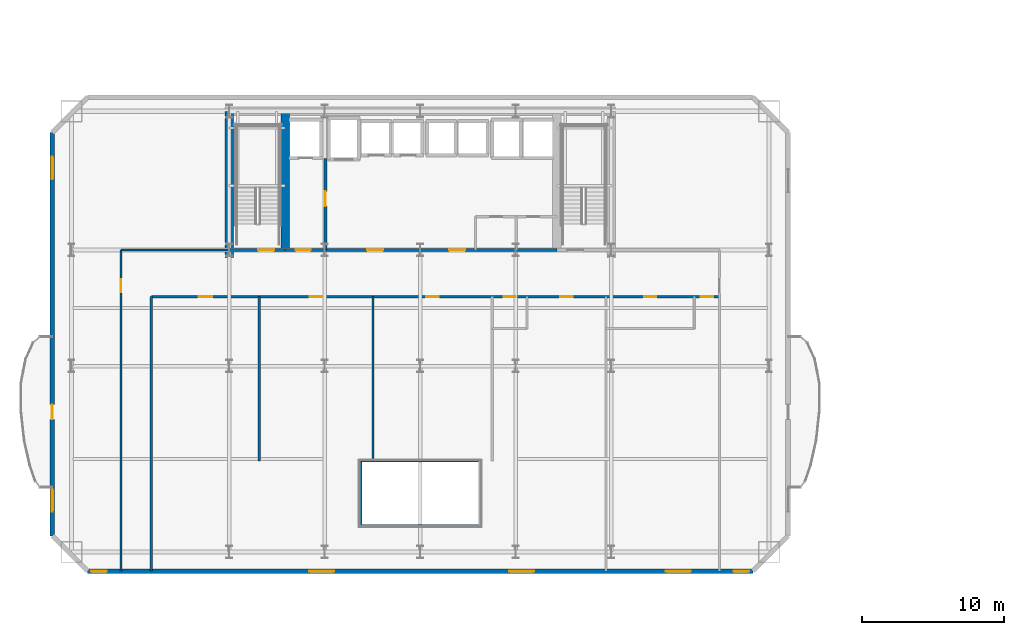
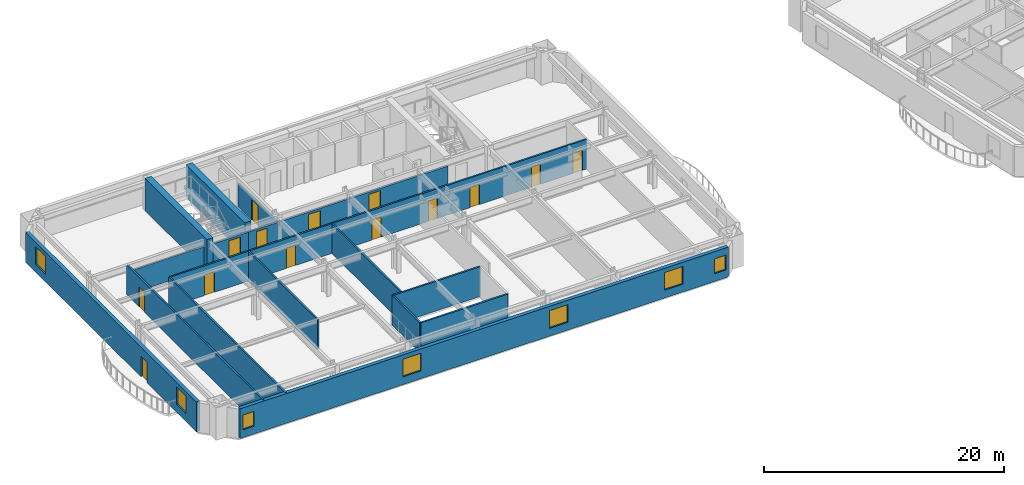
# One storey, part 5 of 16: 17 walls, 14 doors, 7 windows, 21 openings.
"""IFC4 building model written with IfcOpenShell, lengths in metres."""

from ifc_helpers import new_model, si_unit, direction, frame, frame_2d, origin, place, context, subcontext, project, spatial, rectangle, extrude, material, layer, layer_set, type_object, element, fill, save


model = new_model("IFC4")

# Units and contexts
model_context = context("Model", 3, precision=1e-05, world=origin(), true_north=direction((0.0, 1.0)))
body_context = subcontext(model_context, "Body", "Model", "MODEL_VIEW")
ifc_project = project(units=[si_unit("LENGTHUNIT", "METRE"), si_unit("AREAUNIT", "SQUARE_METRE"), si_unit("VOLUMEUNIT", "CUBIC_METRE"), si_unit("PLANEANGLEUNIT", "RADIAN"), si_unit("MASSUNIT", "GRAM", prefix="KILO")], contexts=[model_context])

# Site, building, storey
site_placement = place(None, origin())
site = spatial("IfcSite", under=ifc_project, at=site_placement, CompositionType="ELEMENT")
building_placement = place(site_placement, origin())
building = spatial("IfcBuilding", under=site, at=building_placement, Name="Haevon Station Towers", CompositionType="ELEMENT")
storey_placement = place(building_placement, frame((0.0, 0.0, 53.699951171875)))
storey = spatial("IfcBuildingStorey", under=building, at=storey_placement, Name="L13", CompositionType="ELEMENT", Elevation=53.699951171875)

# Wall
ifc_material_1 = material(Name="Gypsum board on steel stud", Category="steel")
ifc_layer_1 = layer(ifc_material_1, 0.179931640625)
ifc_layer_set_1 = layer_set([ifc_layer_1], Name="Gypsum board on steel stud")
wall_type_1 = type_object("IfcWallType", Name="WL-ACU180", PredefinedType="PARTITIONING", material=ifc_layer_set_1)
wall_1_placement = place(storey_placement, frame((33.300048828125, 18.699951171875, 0.0), z_axis=(0.0, 0.0, 1.0), x_axis=(1.0, 0.0, 0.0)))
element("IfcWall", 1, at=wall_1_placement, inside=storey, type_object=wall_type_1, Name="WL-T1PT-L13-06", PredefinedType="PARTITIONING", context=body_context, shape_type="SweptSolid", body=[
    extrude(rectangle(XDim=8.39990234375, YDim=0.179931640625, at=frame_2d((4.199951171875, 0.0))), origin(), (0.0, 0.0, 1.0), 3.030029296875),
])

# Wall, opening, door
ifc_layer_2 = layer(ifc_material_1, 0.199951171875)
ifc_layer_set_2 = layer_set([ifc_layer_2], Name="Gypsum board on steel stud")
wall_type_2 = type_object("IfcWallType", Name="WL-COR200", PredefinedType="PARTITIONING", material=ifc_layer_set_2)
wall_2_placement = place(storey_placement, frame((24.0, 38.199951171875, 0.0), z_axis=(0.0, 0.0, 1.0), x_axis=(1.0, 0.0, 0.0)))
wall_2 = element("IfcWall", 2, at=wall_2_placement, inside=storey, type_object=wall_type_2, Name="WL-ST-ST1-L13", PredefinedType="PARTITIONING", context=body_context, shape_type="SweptSolid", body=[
    extrude(rectangle(XDim=3.949951171875, YDim=0.199951171875, at=frame_2d((1.97509765625, 0.0))), origin(), (0.0, 0.0, 1.0), 2.330078125),
])
opening_1_placement = place(wall_2_placement, frame((2.050048828125, 0.0, 0.0)))
opening_1 = element("IfcOpeningElement", 3, at=opening_1_placement, cuts=wall_2, Name="Opening DR-ST-ST1-L13", PredefinedType="OPENING", context=body_context, shape_type="SweptSolid", body=[
    extrude(rectangle(XDim=1.1201171875, YDim=2.10009765625, at=frame_2d((0.56005859375, 1.050048828125))), frame((0.0, 0.10986328125, 0.0), z_axis=(0.0, -1.0, 0.0), x_axis=(1.0, 0.0, 0.0)), (0.0, 0.0, 1.0), 0.219970703125),
])
ifc_material_2 = material(Name="Engineered oak timber", Category="wood")
door_type_1 = type_object("IfcDoorType", Name="DR-ST-1120", OperationType="NOTDEFINED", PredefinedType="DOOR", material=ifc_material_2)
door_1_placement = place(opening_1_placement, origin())
door_1 = element("IfcDoor", 4, at=door_1_placement, inside=storey, type_object=door_type_1, Name="L13 Escape Stair ST1 Fire Door", OperationType="SINGLE_SWING_RIGHT", OverallHeight=2.10009765625, OverallWidth=1.1201171875, PredefinedType="DOOR", context=body_context, shape_type="SweptSolid", body=[
    extrude(rectangle(XDim=1.1201171875, YDim=2.10009765625, at=frame_2d((0.56005859375, 1.050048828125))), frame((0.0, 0.02490234375, 0.0), z_axis=(0.0, -1.0, 0.0), x_axis=(1.0, 0.0, 0.0)), (0.0, 0.0, 1.0), 0.050048828125),
])
fill(opening_1, door_1)

wall_3_placement = place(storey_placement, frame((30.800048828125, 38.199951171875, 0.0), z_axis=(0.0, 0.0, 1.0), x_axis=(0.0, 1.0, 0.0)))
wall_3 = element("IfcWall", 5, at=wall_3_placement, inside=storey, type_object=wall_type_2, Name="WL-T1FFL-L13-E", PredefinedType="PARTITIONING", context=body_context, shape_type="SweptSolid", body=[
    extrude(rectangle(XDim=6.449951171875, YDim=0.199951171875, at=frame_2d((3.22509765625, 0.0))), origin(), (0.0, 0.0, 1.0), 2.330078125),
])
opening_2_placement = place(wall_3_placement, frame((3.10009765625, 0.0, 0.0)))
opening_2 = element("IfcOpeningElement", 6, at=opening_2_placement, cuts=wall_3, Name="Opening DR-T1FFL-L13-E", PredefinedType="OPENING", context=body_context, shape_type="SweptSolid", body=[
    extrude(rectangle(XDim=1.050048828125, YDim=2.10009765625, at=frame_2d((0.52490234375, 1.050048828125))), frame((0.0, 0.10986328125, 0.0), z_axis=(0.0, -1.0, 0.0), x_axis=(1.0, 0.0, 0.0)), (0.0, 0.0, 1.0), 0.219970703125),
])
door_type_2 = type_object("IfcDoorType", Name="DR-FD60-1050", OperationType="NOTDEFINED", PredefinedType="DOOR", material=ifc_material_2)
door_2_placement = place(opening_2_placement, origin())
door_2 = element("IfcDoor", 7, at=door_2_placement, inside=storey, type_object=door_type_2, Name="L13 Tower 1 Firefighting Lift Lobby Door E", OperationType="SINGLE_SWING_RIGHT", OverallHeight=2.10009765625, OverallWidth=1.050048828125, PredefinedType="DOOR", context=body_context, shape_type="SweptSolid", body=[
    extrude(rectangle(XDim=1.050048828125, YDim=2.10009765625, at=frame_2d((0.52490234375, 1.050048828125))), frame((0.0, 0.02490234375, 0.0), z_axis=(0.0, -1.0, 0.0), x_axis=(1.0, 0.0, 0.0)), (0.0, 0.0, 1.0), 0.050048828125),
])
fill(opening_2, door_2)

wall_4_placement = place(storey_placement, frame((27.949951171875, 38.199951171875, 0.0), z_axis=(0.0, 0.0, 1.0), x_axis=(1.0, 0.0, 0.0)))
wall_4 = element("IfcWall", 8, at=wall_4_placement, inside=storey, type_object=wall_type_2, Name="WL-T1FFL-L13-S", PredefinedType="PARTITIONING", context=body_context, shape_type="SweptSolid", body=[
    extrude(rectangle(XDim=2.85009765625, YDim=0.199951171875, at=frame_2d((1.425048828125, 0.0))), origin(), (0.0, 0.0, 1.0), 2.330078125),
])
opening_3_placement = place(wall_4_placement, frame((0.75, 0.0, 0.0)))
opening_3 = element("IfcOpeningElement", 9, at=opening_3_placement, cuts=wall_4, Name="Opening DR-T1FFL-L13-S", PredefinedType="OPENING", context=body_context, shape_type="SweptSolid", body=[
    extrude(rectangle(XDim=1.050048828125, YDim=2.10009765625, at=frame_2d((0.52490234375, 1.050048828125))), frame((0.0, 0.10986328125, 0.0), z_axis=(0.0, -1.0, 0.0), x_axis=(1.0, 0.0, 0.0)), (0.0, 0.0, 1.0), 0.219970703125),
])
door_3_placement = place(opening_3_placement, origin())
door_3 = element("IfcDoor", 10, at=door_3_placement, inside=storey, type_object=door_type_2, Name="L13 Tower 1 Firefighting Lift Lobby Door S", OperationType="SINGLE_SWING_LEFT", OverallHeight=2.10009765625, OverallWidth=1.050048828125, PredefinedType="DOOR", context=body_context, shape_type="SweptSolid", body=[
    extrude(rectangle(XDim=1.050048828125, YDim=2.10009765625, at=frame_2d((0.52490234375, 1.050048828125))), frame((0.0, 0.02490234375, 0.0), z_axis=(0.0, -1.0, 0.0), x_axis=(1.0, 0.0, 0.0)), (0.0, 0.0, 1.0), 0.050048828125),
])
fill(opening_3, door_3)

# Wall, openings, doors
wall_5_placement = place(storey_placement, frame((30.800048828125, 38.199951171875, 0.0), z_axis=(0.0, 0.0, 1.0), x_axis=(1.0, 0.0, 0.0)))
wall_5 = element("IfcWall", 11, at=wall_5_placement, inside=storey, type_object=wall_type_2, Name="WL-T1CLB-L13", PredefinedType="PARTITIONING", context=body_context, shape_type="SweptSolid", body=[
    extrude(rectangle(XDim=16.349853515625, YDim=0.199951171875, at=frame_2d((8.1748046875, 0.0))), origin(), (0.0, 0.0, 1.0), 2.330078125),
])
opening_4_placement = place(wall_5_placement, frame((2.949951171875, 0.0, 0.0)))
opening_4 = element("IfcOpeningElement", 12, at=opening_4_placement, cuts=wall_5, Name="Opening DR-T1CLB-L13-1", PredefinedType="OPENING", context=body_context, shape_type="SweptSolid", body=[
    extrude(rectangle(XDim=1.1201171875, YDim=2.10009765625, at=frame_2d((0.56005859375, 1.050048828125))), frame((0.0, 0.10986328125, 0.0), z_axis=(0.0, -1.0, 0.0), x_axis=(1.0, 0.0, 0.0)), (0.0, 0.0, 1.0), 0.219970703125),
])
opening_5_placement = place(wall_5_placement, frame((8.75, 0.0, 0.0)))
opening_5 = element("IfcOpeningElement", 13, at=opening_5_placement, cuts=wall_5, Name="Opening DR-T1CLB-L13-2", PredefinedType="OPENING", context=body_context, shape_type="SweptSolid", body=[
    extrude(rectangle(XDim=1.1201171875, YDim=2.10009765625, at=frame_2d((0.56005859375, 1.050048828125))), frame((0.0, 0.10986328125, 0.0), z_axis=(0.0, -1.0, 0.0), x_axis=(1.0, 0.0, 0.0)), (0.0, 0.0, 1.0), 0.219970703125),
])
door_4_placement = place(opening_4_placement, origin())
door_4 = element("IfcDoor", 14, at=door_4_placement, inside=storey, type_object=door_type_1, Name="L13 Tower 1 Core Lift Lobby Door 1", OperationType="SINGLE_SWING_RIGHT", OverallHeight=2.10009765625, OverallWidth=1.1201171875, PredefinedType="DOOR", context=body_context, shape_type="SweptSolid", body=[
    extrude(rectangle(XDim=1.1201171875, YDim=2.10009765625, at=frame_2d((0.56005859375, 1.050048828125))), frame((0.0, 0.02490234375, 0.0), z_axis=(0.0, -1.0, 0.0), x_axis=(1.0, 0.0, 0.0)), (0.0, 0.0, 1.0), 0.050048828125),
])
fill(opening_4, door_4)
door_5_placement = place(opening_5_placement, origin())
door_5 = element("IfcDoor", 15, at=door_5_placement, inside=storey, type_object=door_type_1, Name="L13 Tower 1 Core Lift Lobby Door 2", OperationType="SINGLE_SWING_LEFT", OverallHeight=2.10009765625, OverallWidth=1.1201171875, PredefinedType="DOOR", context=body_context, shape_type="SweptSolid", body=[
    extrude(rectangle(XDim=1.1201171875, YDim=2.10009765625, at=frame_2d((0.56005859375, 1.050048828125))), frame((0.0, 0.02490234375, 0.0), z_axis=(0.0, -1.0, 0.0), x_axis=(1.0, 0.0, 0.0)), (0.0, 0.0, 1.0), 0.050048828125),
])
fill(opening_5, door_5)

# Walls
ifc_material_3 = material(Name="Concrete C60/75", Category="concrete")
ifc_layer_3 = layer(ifc_material_3, 0.60009765625)
ifc_layer_set_3 = layer_set([ifc_layer_3], Name="Concrete C60/75")
wall_type_3 = type_object("IfcWallType", Name="WL-CR600", PredefinedType="SHEAR", material=ifc_layer_set_3)
wall_6_placement = place(storey_placement, frame((24.0, 37.679931640625, 0.0), z_axis=(0.0, 0.0, 1.0), x_axis=(0.0, 1.0, 0.0)))
element("IfcWall", 16, at=wall_6_placement, inside=storey, type_object=wall_type_3, Name="WL-T1CR-L13-W", PredefinedType="SHEAR", context=body_context, shape_type="SweptSolid", body=[
    extrude(rectangle(XDim=10.320068359375, YDim=0.60009765625, at=frame_2d((5.16015625, 0.0))), origin(), (0.0, 0.0, 1.0), 3.300048828125),
])
wall_7_placement = place(storey_placement, frame((27.949951171875, 38.199951171875, 0.0), z_axis=(0.0, 0.0, 1.0), x_axis=(0.0, 1.0, 0.0)))
element("IfcWall", 17, at=wall_7_placement, inside=storey, type_object=wall_type_3, Name="WL-T1CR-L13-M1", PredefinedType="SHEAR", context=body_context, shape_type="SweptSolid", body=[
    extrude(rectangle(XDim=9.800048828125, YDim=0.60009765625, at=frame_2d((4.89990234375, 0.0))), origin(), (0.0, 0.0, 1.0), 3.300048828125),
])

# Wall, openings, windows
ifc_material_4 = material(Name="Precast concrete C45/55", Category="concrete")
ifc_layer_4 = layer(ifc_material_4, 0.340087890625)
ifc_layer_set_4 = layer_set([ifc_layer_4], Name="Precast concrete C45/55")
wall_type_4 = type_object("IfcWallType", Name="WL-EXT-PIER340", PredefinedType="SOLIDWALL", material=ifc_layer_set_4)
wall_8_placement = place(storey_placement, frame((61.0, 15.5, 0.0), z_axis=(0.0, 0.0, 1.0), x_axis=(-1.0, 0.0, 0.0)))
wall_8 = element("IfcWall", 18, at=wall_8_placement, inside=storey, type_object=wall_type_4, Name="WL-T1-L13-S", PredefinedType="SOLIDWALL", context=body_context, shape_type="SweptSolid", body=[
    extrude(rectangle(XDim=47.0, YDim=0.340087890625, at=frame_2d((23.5, 0.0))), origin(), (0.0, 0.0, 1.0), 3.030029296875),
])
opening_6_placement = place(wall_8_placement, frame((45.64990234375, 0.0, 0.800048828125)))
opening_6 = element("IfcOpeningElement", 19, at=opening_6_placement, cuts=wall_8, Name="Opening WN-COR110", PredefinedType="OPENING", context=body_context, shape_type="SweptSolid", body=[
    extrude(rectangle(XDim=1.10009765625, YDim=1.5, at=frame_2d((0.550048828125, 0.75))), frame((0.0, 0.179931640625, 0.0), z_axis=(0.0, -1.0, 0.0), x_axis=(1.0, 0.0, 0.0)), (0.0, 0.0, 1.0), 0.360107421875),
])
opening_7_placement = place(wall_8_placement, frame((0.25, 0.0, 0.800048828125)))
opening_7 = element("IfcOpeningElement", 20, at=opening_7_placement, cuts=wall_8, Name="Opening WN-COR110", PredefinedType="OPENING", context=body_context, shape_type="SweptSolid", body=[
    extrude(rectangle(XDim=1.10009765625, YDim=1.5, at=frame_2d((0.550048828125, 0.75))), frame((0.0, 0.179931640625, 0.0), z_axis=(0.0, -1.0, 0.0), x_axis=(1.0, 0.0, 0.0)), (0.0, 0.0, 1.0), 0.360107421875),
])
opening_8_placement = place(wall_8_placement, frame((29.580078125, 0.0, 0.800048828125)))
opening_8 = element("IfcOpeningElement", 21, at=opening_8_placement, cuts=wall_8, Name="Opening WN-P175", PredefinedType="OPENING", context=body_context, shape_type="SweptSolid", body=[
    extrude(rectangle(XDim=1.75, YDim=1.800048828125, at=frame_2d((0.875, 0.89990234375))), frame((0.0, 0.179931640625, 0.0), z_axis=(0.0, -1.0, 0.0), x_axis=(1.0, 0.0, 0.0)), (0.0, 0.0, 1.0), 0.360107421875),
])
opening_9_placement = place(wall_8_placement, frame((15.451904296875, 0.0, 0.800048828125)))
opening_9 = element("IfcOpeningElement", 22, at=opening_9_placement, cuts=wall_8, Name="Opening WN-P175", PredefinedType="OPENING", context=body_context, shape_type="SweptSolid", body=[
    extrude(rectangle(XDim=1.75, YDim=1.800048828125, at=frame_2d((0.875, 0.89990234375))), frame((0.0, 0.179931640625, 0.0), z_axis=(0.0, -1.0, 0.0), x_axis=(1.0, 0.0, 0.0)), (0.0, 0.0, 1.0), 0.360107421875),
])
opening_10_placement = place(wall_8_placement, frame((4.385986328125, 0.0, 0.800048828125)))
opening_10 = element("IfcOpeningElement", 23, at=opening_10_placement, cuts=wall_8, Name="Opening WN-P175", PredefinedType="OPENING", context=body_context, shape_type="SweptSolid", body=[
    extrude(rectangle(XDim=1.75, YDim=1.800048828125, at=frame_2d((0.875, 0.89990234375))), frame((0.0, 0.179931640625, 0.0), z_axis=(0.0, -1.0, 0.0), x_axis=(1.0, 0.0, 0.0)), (0.0, 0.0, 1.0), 0.360107421875),
])
ifc_material_5 = material(Name="Low-E triple glazing in thermally broken aluminium", Category="aluminium")
window_type_1 = type_object("IfcWindowType", Name="WN-COR110", PartitioningType="SINGLE_PANEL", PredefinedType="WINDOW", material=ifc_material_5)
window_1_placement = place(opening_6_placement, origin())
window_1 = element("IfcWindow", 24, at=window_1_placement, inside=storey, type_object=window_type_1, Name="WN-T1-L13-S01", OverallHeight=1.5, OverallWidth=1.10009765625, PartitioningType="SINGLE_PANEL", PredefinedType="WINDOW", context=body_context, shape_type="SweptSolid", body=[
    extrude(rectangle(XDim=1.10009765625, YDim=1.5, at=frame_2d((0.550048828125, 0.75))), frame((0.0, 0.030029296875, 0.0), z_axis=(0.0, -1.0, 0.0), x_axis=(1.0, 0.0, 0.0)), (0.0, 0.0, 1.0), 0.06005859375),
])
fill(opening_6, window_1)
window_2_placement = place(opening_7_placement, origin())
window_2 = element("IfcWindow", 25, at=window_2_placement, inside=storey, type_object=window_type_1, Name="WN-T1-L13-S02", OverallHeight=1.5, OverallWidth=1.10009765625, PartitioningType="SINGLE_PANEL", PredefinedType="WINDOW", context=body_context, shape_type="SweptSolid", body=[
    extrude(rectangle(XDim=1.10009765625, YDim=1.5, at=frame_2d((0.550048828125, 0.75))), frame((0.0, 0.030029296875, 0.0), z_axis=(0.0, -1.0, 0.0), x_axis=(1.0, 0.0, 0.0)), (0.0, 0.0, 1.0), 0.06005859375),
])
fill(opening_7, window_2)
window_type_2 = type_object("IfcWindowType", Name="WN-P175", PartitioningType="SINGLE_PANEL", PredefinedType="WINDOW", material=ifc_material_5)
window_3_placement = place(opening_8_placement, origin())
window_3 = element("IfcWindow", 26, at=window_3_placement, inside=storey, type_object=window_type_2, Name="WN-T1-L13-S03", OverallHeight=1.800048828125, OverallWidth=1.75, PartitioningType="SINGLE_PANEL", PredefinedType="WINDOW", context=body_context, shape_type="SweptSolid", body=[
    extrude(rectangle(XDim=1.75, YDim=1.800048828125, at=frame_2d((0.875, 0.89990234375))), frame((0.0, 0.030029296875, 0.0), z_axis=(0.0, -1.0, 0.0), x_axis=(1.0, 0.0, 0.0)), (0.0, 0.0, 1.0), 0.06005859375),
])
fill(opening_8, window_3)
window_4_placement = place(opening_9_placement, origin())
window_4 = element("IfcWindow", 27, at=window_4_placement, inside=storey, type_object=window_type_2, Name="WN-T1-L13-S04", OverallHeight=1.800048828125, OverallWidth=1.75, PartitioningType="SINGLE_PANEL", PredefinedType="WINDOW", context=body_context, shape_type="SweptSolid", body=[
    extrude(rectangle(XDim=1.75, YDim=1.800048828125, at=frame_2d((0.875, 0.89990234375))), frame((0.0, 0.030029296875, 0.0), z_axis=(0.0, -1.0, 0.0), x_axis=(1.0, 0.0, 0.0)), (0.0, 0.0, 1.0), 0.06005859375),
])
fill(opening_9, window_4)
window_5_placement = place(opening_10_placement, origin())
window_5 = element("IfcWindow", 28, at=window_5_placement, inside=storey, type_object=window_type_2, Name="WN-T1-L13-S05", OverallHeight=1.800048828125, OverallWidth=1.75, PartitioningType="SINGLE_PANEL", PredefinedType="WINDOW", context=body_context, shape_type="SweptSolid", body=[
    extrude(rectangle(XDim=1.75, YDim=1.800048828125, at=frame_2d((0.875, 0.89990234375))), frame((0.0, 0.030029296875, 0.0), z_axis=(0.0, -1.0, 0.0), x_axis=(1.0, 0.0, 0.0)), (0.0, 0.0, 1.0), 0.06005859375),
])
fill(opening_10, window_5)

# Wall, openings, door, windows
wall_9_placement = place(storey_placement, frame((11.5, 18.0, 0.0), z_axis=(0.0, 0.0, 1.0), x_axis=(0.0, 1.0, 0.0)))
wall_9 = element("IfcWall", 29, at=wall_9_placement, inside=storey, type_object=wall_type_4, Name="WL-T1-L13-W", PredefinedType="SOLIDWALL", context=body_context, shape_type="SweptSolid", body=[
    extrude(rectangle(XDim=28.5, YDim=0.340087890625, at=frame_2d((14.25, 0.0))), origin(), (0.0, 0.0, 1.0), 3.030029296875),
])
opening_11_placement = place(wall_9_placement, frame((8.22509765625, 0.0, 0.0)))
opening_11 = element("IfcOpeningElement", 30, at=opening_11_placement, cuts=wall_9, Name="Opening DR-T1-SCAL-L13-W", PredefinedType="OPENING", context=body_context, shape_type="SweptSolid", body=[
    extrude(rectangle(XDim=1.050048828125, YDim=2.10009765625, at=frame_2d((0.52490234375, 1.050048828125))), frame((0.0, 0.179931640625, 0.0), z_axis=(0.0, -1.0, 0.0), x_axis=(1.0, 0.0, 0.0)), (0.0, 0.0, 1.0), 0.360107421875),
])
opening_12_placement = place(wall_9_placement, frame((1.70361328125, 0.0, 0.800048828125)))
opening_12 = element("IfcOpeningElement", 31, at=opening_12_placement, cuts=wall_9, Name="Opening WN-END160", PredefinedType="OPENING", context=body_context, shape_type="SweptSolid", body=[
    extrude(rectangle(XDim=1.60009765625, YDim=1.800048828125, at=frame_2d((0.800048828125, 0.89990234375))), frame((0.0, 0.179931640625, 0.0), z_axis=(0.0, -1.0, 0.0), x_axis=(1.0, 0.0, 0.0)), (0.0, 0.0, 1.0), 0.360107421875),
])
opening_13_placement = place(wall_9_placement, frame((25.1962890625, 0.0, 0.800048828125)))
opening_13 = element("IfcOpeningElement", 32, at=opening_13_placement, cuts=wall_9, Name="Opening WN-END160", PredefinedType="OPENING", context=body_context, shape_type="SweptSolid", body=[
    extrude(rectangle(XDim=1.60009765625, YDim=1.800048828125, at=frame_2d((0.800048828125, 0.89990234375))), frame((0.0, 0.179931640625, 0.0), z_axis=(0.0, -1.0, 0.0), x_axis=(1.0, 0.0, 0.0)), (0.0, 0.0, 1.0), 0.360107421875),
])
ifc_material_6 = material(Name="Thermally broken anodised aluminium and laminated safety glass", Category="aluminium")
door_type_3 = type_object("IfcDoorType", Name="DR-BALC-1050", OperationType="NOTDEFINED", PredefinedType="DOOR", material=ifc_material_6)
door_6_placement = place(opening_11_placement, origin())
door_6 = element("IfcDoor", 33, at=door_6_placement, inside=storey, type_object=door_type_3, Name="Tower 1 L13 West Scalloped Balcony Door", OperationType="SINGLE_SWING_RIGHT", OverallHeight=2.10009765625, OverallWidth=1.050048828125, PredefinedType="DOOR", context=body_context, shape_type="SweptSolid", body=[
    extrude(rectangle(XDim=1.050048828125, YDim=2.10009765625, at=frame_2d((0.52490234375, 1.050048828125))), frame((0.0, 0.02490234375, 0.0), z_axis=(0.0, -1.0, 0.0), x_axis=(1.0, 0.0, 0.0)), (0.0, 0.0, 1.0), 0.050048828125),
])
fill(opening_11, door_6)
window_type_3 = type_object("IfcWindowType", Name="WN-END160", PartitioningType="SINGLE_PANEL", PredefinedType="WINDOW", material=ifc_material_5)
window_6_placement = place(opening_12_placement, origin())
window_6 = element("IfcWindow", 34, at=window_6_placement, inside=storey, type_object=window_type_3, Name="WN-T1-L13-W01", OverallHeight=1.800048828125, OverallWidth=1.60009765625, PartitioningType="SINGLE_PANEL", PredefinedType="WINDOW", context=body_context, shape_type="SweptSolid", body=[
    extrude(rectangle(XDim=1.60009765625, YDim=1.800048828125, at=frame_2d((0.800048828125, 0.89990234375))), frame((0.0, 0.030029296875, 0.0), z_axis=(0.0, -1.0, 0.0), x_axis=(1.0, 0.0, 0.0)), (0.0, 0.0, 1.0), 0.06005859375),
])
fill(opening_12, window_6)
window_7_placement = place(opening_13_placement, origin())
window_7 = element("IfcWindow", 35, at=window_7_placement, inside=storey, type_object=window_type_3, Name="WN-T1-L13-W02", OverallHeight=1.800048828125, OverallWidth=1.60009765625, PartitioningType="SINGLE_PANEL", PredefinedType="WINDOW", context=body_context, shape_type="SweptSolid", body=[
    extrude(rectangle(XDim=1.60009765625, YDim=1.800048828125, at=frame_2d((0.800048828125, 0.89990234375))), frame((0.0, 0.030029296875, 0.0), z_axis=(0.0, -1.0, 0.0), x_axis=(1.0, 0.0, 0.0)), (0.0, 0.0, 1.0), 0.06005859375),
])
fill(opening_13, window_7)

# Walls
ifc_layer_5 = layer(ifc_material_1, 0.159912109375)
ifc_layer_set_5 = layer_set([ifc_layer_5], Name="Gypsum board on steel stud")
wall_type_5 = type_object("IfcWallType", Name="WL-PRT160", PredefinedType="PARTITIONING", material=ifc_layer_set_5)
wall_10_placement = place(storey_placement, frame((18.5, 15.5, 0.0), z_axis=(0.0, 0.0, 1.0), x_axis=(0.0, 1.0, 0.0)))
element("IfcWall", 36, at=wall_10_placement, inside=storey, type_object=wall_type_5, Name="WL-T1PT-L13-01", PredefinedType="PARTITIONING", context=body_context, shape_type="SweptSolid", body=[
    extrude(rectangle(XDim=19.39990234375, YDim=0.159912109375, at=frame_2d((9.699951171875, 0.0))), origin(), (0.0, 0.0, 1.0), 3.030029296875),
])
wall_11_placement = place(storey_placement, frame((16.35009765625, 38.199951171875, 0.0), z_axis=(0.0, 0.0, 1.0), x_axis=(1.0, 0.0, 0.0)))
element("IfcWall", 37, at=wall_11_placement, inside=storey, type_object=wall_type_5, Name="WL-T1PT-L13-02", PredefinedType="PARTITIONING", context=body_context, shape_type="SweptSolid", body=[
    extrude(rectangle(XDim=7.64990234375, YDim=0.159912109375, at=frame_2d((3.824951171875, 0.0))), origin(), (0.0, 0.0, 1.0), 2.330078125),
])

# Wall, opening, door
wall_12_placement = place(storey_placement, frame((16.35009765625, 15.5, 0.0), z_axis=(0.0, 0.0, 1.0), x_axis=(0.0, 1.0, 0.0)))
wall_12 = element("IfcWall", 38, at=wall_12_placement, inside=storey, type_object=wall_type_5, Name="WL-T1PT-L13-04", PredefinedType="PARTITIONING", context=body_context, shape_type="SweptSolid", body=[
    extrude(rectangle(XDim=22.699951171875, YDim=0.159912109375, at=frame_2d((11.35009765625, 0.0))), origin(), (0.0, 0.0, 1.0), 3.030029296875),
])
opening_14_placement = place(wall_12_placement, frame((19.719970703125, 0.0, 0.0)))
opening_14 = element("IfcOpeningElement", 39, at=opening_14_placement, cuts=wall_12, Name="Opening DR-WL-T1PT-L13-04-01", PredefinedType="OPENING", context=body_context, shape_type="SweptSolid", body=[
    extrude(rectangle(XDim=0.89990234375, YDim=2.050048828125, at=frame_2d((0.449951171875, 1.02490234375))), frame((0.0, 0.08984375, 0.0), z_axis=(0.0, -1.0, 0.0), x_axis=(1.0, 0.0, 0.0)), (0.0, 0.0, 1.0), 0.179931640625),
])
door_type_4 = type_object("IfcDoorType", Name="DR-INT-900", OperationType="NOTDEFINED", PredefinedType="DOOR", material=ifc_material_2)
door_7_placement = place(opening_14_placement, origin())
door_7 = element("IfcDoor", 40, at=door_7_placement, inside=storey, type_object=door_type_4, Name="L13 Tower 1 Room Door 4-1", OperationType="SINGLE_SWING_RIGHT", OverallHeight=2.050048828125, OverallWidth=0.89990234375, PredefinedType="DOOR", context=body_context, shape_type="SweptSolid", body=[
    extrude(rectangle(XDim=0.89990234375, YDim=2.050048828125, at=frame_2d((0.449951171875, 1.02490234375))), frame((0.0, 0.02490234375, 0.0), z_axis=(0.0, -1.0, 0.0), x_axis=(1.0, 0.0, 0.0)), (0.0, 0.0, 1.0), 0.050048828125),
])
fill(opening_14, door_7)

# Walls
wall_13_placement = place(storey_placement, frame((33.300048828125, 23.300048828125, 0.0), z_axis=(0.0, 0.0, 1.0), x_axis=(1.0, 0.0, 0.0)))
element("IfcWall", 41, at=wall_13_placement, inside=storey, type_object=wall_type_5, Name="WL-T1PT-L13-07", PredefinedType="PARTITIONING", context=body_context, shape_type="SweptSolid", body=[
    extrude(rectangle(XDim=8.39990234375, YDim=0.159912109375, at=frame_2d((4.199951171875, 0.0))), origin(), (0.0, 0.0, 1.0), 3.030029296875),
])
wall_14_placement = place(storey_placement, frame((33.300048828125, 18.699951171875, 0.0), z_axis=(0.0, 0.0, 1.0), x_axis=(0.0, 1.0, 0.0)))
element("IfcWall", 42, at=wall_14_placement, inside=storey, type_object=wall_type_5, Name="WL-T1PT-L13-08", PredefinedType="PARTITIONING", context=body_context, shape_type="SweptSolid", body=[
    extrude(rectangle(XDim=4.60009765625, YDim=0.159912109375, at=frame_2d((2.300048828125, 0.0))), origin(), (0.0, 0.0, 1.0), 3.030029296875),
])
for number, where, z_axis, x_axis, name in (
    (43, (26.12841796875, 23.300048828125, 0.0), (0.0, 0.0, 1.0), (0.0, 1.0, 0.0), "WL-T1PT-L13-10"),
    (44, (34.158447265625, 23.300048828125, 0.0), (0.0, 0.0, 1.0), (0.0, 1.0, 0.0), "WL-T1PT-L13-11"),
):
    element("IfcWall", number, at=place(storey_placement, frame(where, z_axis=z_axis, x_axis=x_axis)), inside=storey, type_object=wall_type_5, Name=name, PredefinedType="PARTITIONING", context=body_context, shape_type="SweptSolid", body=[
        extrude(rectangle(XDim=11.599853515625, YDim=0.159912109375, at=frame_2d((5.7998046875, 0.0))), origin(), (0.0, 0.0, 1.0), 3.030029296875),
    ])

# Wall, openings, doors
wall_15_placement = place(storey_placement, frame((18.5, 34.89990234375, 0.0), z_axis=(0.0, 0.0, 1.0), x_axis=(1.0, 0.0, 0.0)))
wall_15 = element("IfcWall", 45, at=wall_15_placement, inside=storey, type_object=wall_type_5, Name="WL-T1PT-L13-20", PredefinedType="PARTITIONING", context=body_context, shape_type="SweptSolid", body=[
    extrude(rectangle(XDim=40.14990234375, YDim=0.159912109375, at=frame_2d((20.074951171875, 0.0))), origin(), (0.0, 0.0, 1.0), 3.030029296875),
])
opening_15_placement = place(wall_15_placement, frame((3.339111328125, 0.0, 0.0)))
opening_15 = element("IfcOpeningElement", 46, at=opening_15_placement, cuts=wall_15, Name="Opening DR-WL-T1PT-L13-20-01", PredefinedType="OPENING", context=body_context, shape_type="SweptSolid", body=[
    extrude(rectangle(XDim=0.949951171875, YDim=2.10009765625, at=frame_2d((0.47509765625, 1.050048828125))), frame((0.0, 0.08984375, 0.0), z_axis=(0.0, -1.0, 0.0), x_axis=(1.0, 0.0, 0.0)), (0.0, 0.0, 1.0), 0.179931640625),
])
opening_16_placement = place(wall_15_placement, frame((11.193115234375, 0.0, 0.0)))
opening_16 = element("IfcOpeningElement", 47, at=opening_16_placement, cuts=wall_15, Name="Opening DR-WL-T1PT-L13-20-02", PredefinedType="OPENING", context=body_context, shape_type="SweptSolid", body=[
    extrude(rectangle(XDim=0.89990234375, YDim=2.050048828125, at=frame_2d((0.449951171875, 1.02490234375))), frame((0.0, 0.08984375, 0.0), z_axis=(0.0, -1.0, 0.0), x_axis=(1.0, 0.0, 0.0)), (0.0, 0.0, 1.0), 0.179931640625),
])
opening_17_placement = place(wall_15_placement, frame((19.424072265625, 0.0, 0.0)))
opening_17 = element("IfcOpeningElement", 48, at=opening_17_placement, cuts=wall_15, Name="Opening DR-WL-T1PT-L13-20-03", PredefinedType="OPENING", context=body_context, shape_type="SweptSolid", body=[
    extrude(rectangle(XDim=0.89990234375, YDim=2.050048828125, at=frame_2d((0.449951171875, 1.02490234375))), frame((0.0, 0.08984375, 0.0), z_axis=(0.0, -1.0, 0.0), x_axis=(1.0, 0.0, 0.0)), (0.0, 0.0, 1.0), 0.179931640625),
])
opening_18_placement = place(wall_15_placement, frame((24.889892578125, 0.0, 0.0)))
opening_18 = element("IfcOpeningElement", 49, at=opening_18_placement, cuts=wall_15, Name="Opening DR-WL-T1PT-L13-20-04", PredefinedType="OPENING", context=body_context, shape_type="SweptSolid", body=[
    extrude(rectangle(XDim=0.85009765625, YDim=2.050048828125, at=frame_2d((0.425048828125, 1.02490234375))), frame((0.0, 0.08984375, 0.0), z_axis=(0.0, -1.0, 0.0), x_axis=(1.0, 0.0, 0.0)), (0.0, 0.0, 1.0), 0.179931640625),
])
opening_19_placement = place(wall_15_placement, frame((28.8798828125, 0.0, 0.0)))
opening_19 = element("IfcOpeningElement", 50, at=opening_19_placement, cuts=wall_15, Name="Opening DR-WL-T1PT-L13-20-05", PredefinedType="OPENING", context=body_context, shape_type="SweptSolid", body=[
    extrude(rectangle(XDim=0.89990234375, YDim=2.050048828125, at=frame_2d((0.449951171875, 1.02490234375))), frame((0.0, 0.08984375, 0.0), z_axis=(0.0, -1.0, 0.0), x_axis=(1.0, 0.0, 0.0)), (0.0, 0.0, 1.0), 0.179931640625),
])
opening_20_placement = place(wall_15_placement, frame((34.820068359375, 0.0, 0.0)))
opening_20 = element("IfcOpeningElement", 51, at=opening_20_placement, cuts=wall_15, Name="Opening DR-WL-T1PT-L13-20-06", PredefinedType="OPENING", context=body_context, shape_type="SweptSolid", body=[
    extrude(rectangle(XDim=0.85009765625, YDim=2.050048828125, at=frame_2d((0.425048828125, 1.02490234375))), frame((0.0, 0.08984375, 0.0), z_axis=(0.0, -1.0, 0.0), x_axis=(1.0, 0.0, 0.0)), (0.0, 0.0, 1.0), 0.179931640625),
])
opening_21_placement = place(wall_15_placement, frame((38.81005859375, 0.0, 0.0)))
opening_21 = element("IfcOpeningElement", 52, at=opening_21_placement, cuts=wall_15, Name="Opening DR-WL-T1PT-L13-20-07", PredefinedType="OPENING", context=body_context, shape_type="SweptSolid", body=[
    extrude(rectangle(XDim=0.89990234375, YDim=2.050048828125, at=frame_2d((0.449951171875, 1.02490234375))), frame((0.0, 0.08984375, 0.0), z_axis=(0.0, -1.0, 0.0), x_axis=(1.0, 0.0, 0.0)), (0.0, 0.0, 1.0), 0.179931640625),
])
door_type_5 = type_object("IfcDoorType", Name="DR-FD30-850", OperationType="NOTDEFINED", PredefinedType="DOOR", material=ifc_material_2)
door_8_placement = place(opening_18_placement, origin())
door_8 = element("IfcDoor", 53, at=door_8_placement, inside=storey, type_object=door_type_5, Name="L13 Tower 1 Room Door 20-4", OperationType="SINGLE_SWING_LEFT", OverallHeight=2.050048828125, OverallWidth=0.85009765625, PredefinedType="DOOR", context=body_context, shape_type="SweptSolid", body=[
    extrude(rectangle(XDim=0.85009765625, YDim=2.050048828125, at=frame_2d((0.425048828125, 1.02490234375))), frame((0.0, 0.02490234375, 0.0), z_axis=(0.0, -1.0, 0.0), x_axis=(1.0, 0.0, 0.0)), (0.0, 0.0, 1.0), 0.050048828125),
])
fill(opening_18, door_8)
door_9_placement = place(opening_20_placement, origin())
door_9 = element("IfcDoor", 54, at=door_9_placement, inside=storey, type_object=door_type_5, Name="L13 Tower 1 Room Door 20-6", OperationType="SINGLE_SWING_LEFT", OverallHeight=2.050048828125, OverallWidth=0.85009765625, PredefinedType="DOOR", context=body_context, shape_type="SweptSolid", body=[
    extrude(rectangle(XDim=0.85009765625, YDim=2.050048828125, at=frame_2d((0.425048828125, 1.02490234375))), frame((0.0, 0.02490234375, 0.0), z_axis=(0.0, -1.0, 0.0), x_axis=(1.0, 0.0, 0.0)), (0.0, 0.0, 1.0), 0.050048828125),
])
fill(opening_20, door_9)
door_type_6 = type_object("IfcDoorType", Name="DR-FD30-950", OperationType="NOTDEFINED", PredefinedType="DOOR", material=ifc_material_2)
door_10_placement = place(opening_15_placement, origin())
door_10 = element("IfcDoor", 55, at=door_10_placement, inside=storey, type_object=door_type_6, Name="L13 Tower 1 Room Door 20-1", OperationType="SINGLE_SWING_RIGHT", OverallHeight=2.10009765625, OverallWidth=0.949951171875, PredefinedType="DOOR", context=body_context, shape_type="SweptSolid", body=[
    extrude(rectangle(XDim=0.949951171875, YDim=2.10009765625, at=frame_2d((0.47509765625, 1.050048828125))), frame((0.0, 0.02490234375, 0.0), z_axis=(0.0, -1.0, 0.0), x_axis=(1.0, 0.0, 0.0)), (0.0, 0.0, 1.0), 0.050048828125),
])
fill(opening_15, door_10)
door_11_placement = place(opening_16_placement, origin())
door_11 = element("IfcDoor", 56, at=door_11_placement, inside=storey, type_object=door_type_4, Name="L13 Tower 1 Room Door 20-2", OperationType="SINGLE_SWING_LEFT", OverallHeight=2.050048828125, OverallWidth=0.89990234375, PredefinedType="DOOR", context=body_context, shape_type="SweptSolid", body=[
    extrude(rectangle(XDim=0.89990234375, YDim=2.050048828125, at=frame_2d((0.449951171875, 1.02490234375))), frame((0.0, 0.02490234375, 0.0), z_axis=(0.0, -1.0, 0.0), x_axis=(1.0, 0.0, 0.0)), (0.0, 0.0, 1.0), 0.050048828125),
])
fill(opening_16, door_11)
door_12_placement = place(opening_17_placement, origin())
door_12 = element("IfcDoor", 57, at=door_12_placement, inside=storey, type_object=door_type_4, Name="L13 Tower 1 Room Door 20-3", OperationType="SINGLE_SWING_RIGHT", OverallHeight=2.050048828125, OverallWidth=0.89990234375, PredefinedType="DOOR", context=body_context, shape_type="SweptSolid", body=[
    extrude(rectangle(XDim=0.89990234375, YDim=2.050048828125, at=frame_2d((0.449951171875, 1.02490234375))), frame((0.0, 0.02490234375, 0.0), z_axis=(0.0, -1.0, 0.0), x_axis=(1.0, 0.0, 0.0)), (0.0, 0.0, 1.0), 0.050048828125),
])
fill(opening_17, door_12)
door_13_placement = place(opening_19_placement, origin())
door_13 = element("IfcDoor", 58, at=door_13_placement, inside=storey, type_object=door_type_4, Name="L13 Tower 1 Room Door 20-5", OperationType="SINGLE_SWING_RIGHT", OverallHeight=2.050048828125, OverallWidth=0.89990234375, PredefinedType="DOOR", context=body_context, shape_type="SweptSolid", body=[
    extrude(rectangle(XDim=0.89990234375, YDim=2.050048828125, at=frame_2d((0.449951171875, 1.02490234375))), frame((0.0, 0.02490234375, 0.0), z_axis=(0.0, -1.0, 0.0), x_axis=(1.0, 0.0, 0.0)), (0.0, 0.0, 1.0), 0.050048828125),
])
fill(opening_19, door_13)
door_14_placement = place(opening_21_placement, origin())
door_14 = element("IfcDoor", 59, at=door_14_placement, inside=storey, type_object=door_type_4, Name="L13 Tower 1 Room Door 20-7", OperationType="SINGLE_SWING_RIGHT", OverallHeight=2.050048828125, OverallWidth=0.89990234375, PredefinedType="DOOR", context=body_context, shape_type="SweptSolid", body=[
    extrude(rectangle(XDim=0.89990234375, YDim=2.050048828125, at=frame_2d((0.449951171875, 1.02490234375))), frame((0.0, 0.02490234375, 0.0), z_axis=(0.0, -1.0, 0.0), x_axis=(1.0, 0.0, 0.0)), (0.0, 0.0, 1.0), 0.050048828125),
])
fill(opening_21, door_14)

save(model, "model.ifc")
